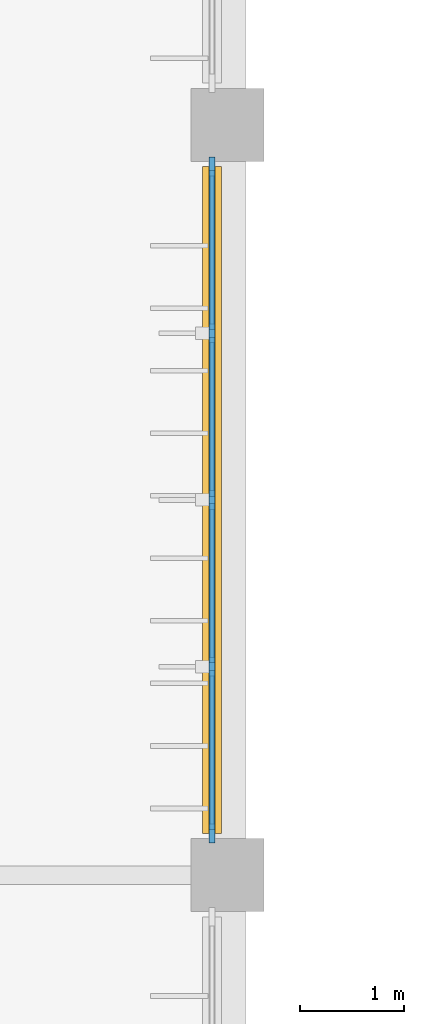
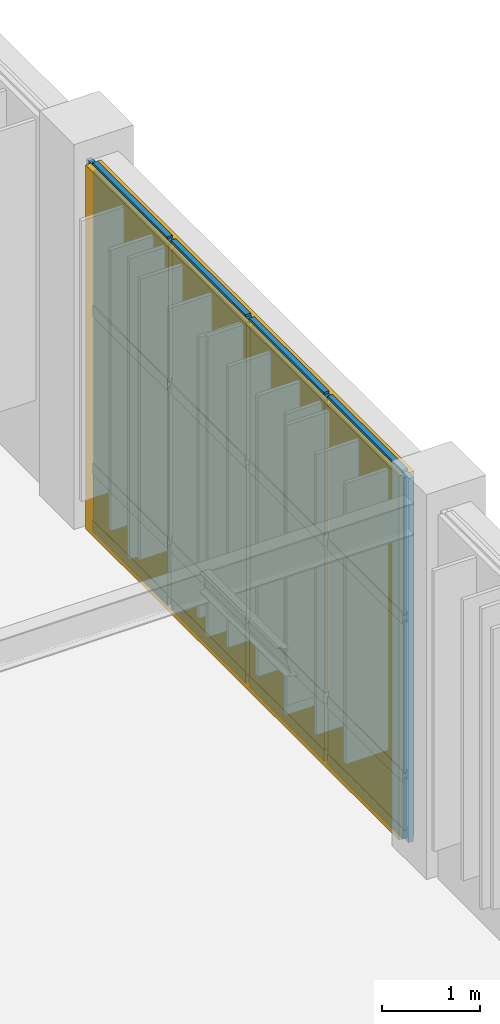
# One storey, part 70 of 122: 21 members, 12 plates, 1 curtain wall.
"""IFC4 building model written with IfcOpenShell, lengths in metres."""

from ifc_helpers import new_model, si_unit, direction, frame, frame_2d, origin, origin_2d, place, context, subcontext, project, spatial, rectangle, extrude, material, layer, layer_set, material_profile, profile_set, type_object, element, aggregate, save


model = new_model("IFC4")

# Units and contexts
model_context = context("Model", 3, precision=1e-05, world=origin(), true_north=direction((0.0, 1.0)))
body_context = subcontext(model_context, "Body", "Model", "MODEL_VIEW")
ifc_project = project(units=[si_unit("LENGTHUNIT", "METRE"), si_unit("AREAUNIT", "SQUARE_METRE"), si_unit("VOLUMEUNIT", "CUBIC_METRE"), si_unit("PLANEANGLEUNIT", "RADIAN"), si_unit("MASSUNIT", "GRAM", prefix="KILO")], contexts=[model_context])

# Member
ifc_material_1 = material(Name="Anodised Bronze Aluminium 6063-T6", Category="aluminium")
ifc_material_profile_1 = material_profile(ifc_material_1, rectangle(XDim=0.06005859375, YDim=0.179931640625, at=origin_2d()), Name="ALU MULLION 60x180")
ifc_profile_set_1 = profile_set([ifc_material_profile_1], Name="Anodised Bronze Aluminium 6063-T6")
member_type_1 = type_object("IfcMemberType", Name="Curtain-Wall Primary Mullion 60x180", PredefinedType="MULLION", material=ifc_profile_set_1)
site_placement = place(None, origin())
building_placement = place(site_placement, origin())
storey_placement = place(building_placement, origin())
member_1_placement = place(storey_placement, frame((27.449951171875, 59.39990234375, 0.0), z_axis=(0.0, 0.0, 1.0), x_axis=(1.0, 0.0, 0.0)))
member_1 = element("IfcMember", 1, at=member_1_placement, type_object=member_type_1, Name="Mullion CWM-01 CW-V6-E1-L00-B2-M01", PredefinedType="MULLION", context=body_context, shape_type="SweptSolid", body=[
    extrude(rectangle(XDim=0.06005859375, YDim=0.179931640625, at=origin_2d()), origin(), (0.0, 0.0, 1.0), 4.5400390625),
])

member_2_placement = place(storey_placement, frame((27.449951171875, 61.0, 0.0), z_axis=(0.0, 0.0, 1.0), x_axis=(1.0, 0.0, 0.0)))
member_2 = element("IfcMember", 2, at=member_2_placement, type_object=member_type_1, Name="Mullion CWM-01 CW-V6-E1-L00-B2-M02", PredefinedType="MULLION", context=body_context, shape_type="SweptSolid", body=[
    extrude(rectangle(XDim=0.06005859375, YDim=0.179931640625, at=origin_2d()), origin(), (0.0, 0.0, 1.0), 4.5400390625),
])

member_3_placement = place(storey_placement, frame((27.449951171875, 62.60009765625, 0.0), z_axis=(0.0, 0.0, 1.0), x_axis=(1.0, 0.0, 0.0)))
member_3 = element("IfcMember", 3, at=member_3_placement, type_object=member_type_1, Name="Mullion CWM-01 CW-V6-E1-L00-B2-M03", PredefinedType="MULLION", context=body_context, shape_type="SweptSolid", body=[
    extrude(rectangle(XDim=0.06005859375, YDim=0.179931640625, at=origin_2d()), origin(), (0.0, 0.0, 1.0), 4.5400390625),
])

member_4_placement = place(storey_placement, frame((27.449951171875, 64.199951171875, 0.0), z_axis=(0.0, 0.0, 1.0), x_axis=(1.0, 0.0, 0.0)))
member_4 = element("IfcMember", 4, at=member_4_placement, type_object=member_type_1, Name="Mullion CWM-01 CW-V6-E1-L00-B2-M04", PredefinedType="MULLION", context=body_context, shape_type="SweptSolid", body=[
    extrude(rectangle(XDim=0.06005859375, YDim=0.179931640625, at=origin_2d()), origin(), (0.0, 0.0, 1.0), 4.5400390625),
])

member_5_placement = place(storey_placement, frame((27.449951171875, 65.800048828125, 0.0), z_axis=(0.0, 0.0, 1.0), x_axis=(1.0, 0.0, 0.0)))
member_5 = element("IfcMember", 5, at=member_5_placement, type_object=member_type_1, Name="Mullion CWM-01 CW-V6-E1-L00-B2-M05", PredefinedType="MULLION", context=body_context, shape_type="SweptSolid", body=[
    extrude(rectangle(XDim=0.06005859375, YDim=0.179931640625, at=origin_2d()), origin(), (0.0, 0.0, 1.0), 4.5400390625),
])

ifc_material_profile_2 = material_profile(ifc_material_1, rectangle(XDim=0.06005859375, YDim=0.139892578125, at=origin_2d()), Name="ALU TRANSOM 60x140")
ifc_profile_set_2 = profile_set([ifc_material_profile_2], Name="Anodised Bronze Aluminium 6063-T6")
member_type_2 = type_object("IfcMemberType", Name="Curtain-Wall Transom 60x140", PredefinedType="USERDEFINED", material=ifc_profile_set_2)
member_6_placement = place(storey_placement, frame((27.449951171875, 59.43505859375, 0.0400390625), z_axis=(0.0, 1.0, 0.0), x_axis=(-1.0, 0.0, 0.0)))
member_6 = element("IfcMember", 6, at=member_6_placement, type_object=member_type_2, Name="Transom CWT-01 CW-V6-E1-L00-B2-T01.1", ObjectType="TRANSOM", PredefinedType="USERDEFINED", context=body_context, shape_type="SweptSolid", body=[
    extrude(rectangle(XDim=0.06005859375, YDim=0.139892578125, at=origin_2d()), origin(), (0.0, 0.0, 1.0), 1.530029296875),
])

member_7_placement = place(storey_placement, frame((27.449951171875, 59.43505859375, 0.75), z_axis=(0.0, 1.0, 0.0), x_axis=(-1.0, 0.0, 0.0)))
member_7 = element("IfcMember", 7, at=member_7_placement, type_object=member_type_2, Name="Transom CWT-01 CW-V6-E1-L00-B2-T01.2", ObjectType="TRANSOM", PredefinedType="USERDEFINED", context=body_context, shape_type="SweptSolid", body=[
    extrude(rectangle(XDim=0.06005859375, YDim=0.139892578125, at=origin_2d()), origin(), (0.0, 0.0, 1.0), 1.530029296875),
])

member_8_placement = place(storey_placement, frame((27.449951171875, 59.43505859375, 2.720703125), z_axis=(0.0, 1.0, 0.0), x_axis=(-1.0, 0.0, 0.0)))
member_8 = element("IfcMember", 8, at=member_8_placement, type_object=member_type_2, Name="Transom CWT-01 CW-V6-E1-L00-B2-T01.3", ObjectType="TRANSOM", PredefinedType="USERDEFINED", context=body_context, shape_type="SweptSolid", body=[
    extrude(rectangle(XDim=0.06005859375, YDim=0.139892578125, at=origin_2d()), origin(), (0.0, 0.0, 1.0), 1.530029296875),
])

member_9_placement = place(storey_placement, frame((27.449951171875, 59.43505859375, 4.5), z_axis=(0.0, 1.0, 0.0), x_axis=(-1.0, 0.0, 0.0)))
member_9 = element("IfcMember", 9, at=member_9_placement, type_object=member_type_2, Name="Transom CWT-01 CW-V6-E1-L00-B2-T01.4", ObjectType="TRANSOM", PredefinedType="USERDEFINED", context=body_context, shape_type="SweptSolid", body=[
    extrude(rectangle(XDim=0.06005859375, YDim=0.139892578125, at=origin_2d()), origin(), (0.0, 0.0, 1.0), 1.530029296875),
])

member_10_placement = place(storey_placement, frame((27.449951171875, 61.034912109375, 0.0400390625), z_axis=(0.0, 1.0, 0.0), x_axis=(-1.0, 0.0, 0.0)))
member_10 = element("IfcMember", 10, at=member_10_placement, type_object=member_type_2, Name="Transom CWT-01 CW-V6-E1-L00-B2-T02.1", ObjectType="TRANSOM", PredefinedType="USERDEFINED", context=body_context, shape_type="SweptSolid", body=[
    extrude(rectangle(XDim=0.06005859375, YDim=0.139892578125, at=origin_2d()), origin(), (0.0, 0.0, 1.0), 1.530029296875),
])

member_11_placement = place(storey_placement, frame((27.449951171875, 61.034912109375, 0.75), z_axis=(0.0, 1.0, 0.0), x_axis=(-1.0, 0.0, 0.0)))
member_11 = element("IfcMember", 11, at=member_11_placement, type_object=member_type_2, Name="Transom CWT-01 CW-V6-E1-L00-B2-T02.2", ObjectType="TRANSOM", PredefinedType="USERDEFINED", context=body_context, shape_type="SweptSolid", body=[
    extrude(rectangle(XDim=0.06005859375, YDim=0.139892578125, at=origin_2d()), origin(), (0.0, 0.0, 1.0), 1.530029296875),
])

member_12_placement = place(storey_placement, frame((27.449951171875, 61.034912109375, 2.720703125), z_axis=(0.0, 1.0, 0.0), x_axis=(-1.0, 0.0, 0.0)))
member_12 = element("IfcMember", 12, at=member_12_placement, type_object=member_type_2, Name="Transom CWT-01 CW-V6-E1-L00-B2-T02.3", ObjectType="TRANSOM", PredefinedType="USERDEFINED", context=body_context, shape_type="SweptSolid", body=[
    extrude(rectangle(XDim=0.06005859375, YDim=0.139892578125, at=origin_2d()), origin(), (0.0, 0.0, 1.0), 1.530029296875),
])

member_13_placement = place(storey_placement, frame((27.449951171875, 61.034912109375, 4.5), z_axis=(0.0, 1.0, 0.0), x_axis=(-1.0, 0.0, 0.0)))
member_13 = element("IfcMember", 13, at=member_13_placement, type_object=member_type_2, Name="Transom CWT-01 CW-V6-E1-L00-B2-T02.4", ObjectType="TRANSOM", PredefinedType="USERDEFINED", context=body_context, shape_type="SweptSolid", body=[
    extrude(rectangle(XDim=0.06005859375, YDim=0.139892578125, at=origin_2d()), origin(), (0.0, 0.0, 1.0), 1.530029296875),
])

member_14_placement = place(storey_placement, frame((27.449951171875, 62.635009765625, 0.0400390625), z_axis=(0.0, 1.0, 0.0), x_axis=(-1.0, 0.0, 0.0)))
member_14 = element("IfcMember", 14, at=member_14_placement, type_object=member_type_2, Name="Transom CWT-01 CW-V6-E1-L00-B2-T03.1", ObjectType="TRANSOM", PredefinedType="USERDEFINED", context=body_context, shape_type="SweptSolid", body=[
    extrude(rectangle(XDim=0.06005859375, YDim=0.139892578125, at=origin_2d()), origin(), (0.0, 0.0, 1.0), 1.530029296875),
])

member_15_placement = place(storey_placement, frame((27.449951171875, 62.635009765625, 0.75), z_axis=(0.0, 1.0, 0.0), x_axis=(-1.0, 0.0, 0.0)))
member_15 = element("IfcMember", 15, at=member_15_placement, type_object=member_type_2, Name="Transom CWT-01 CW-V6-E1-L00-B2-T03.2", ObjectType="TRANSOM", PredefinedType="USERDEFINED", context=body_context, shape_type="SweptSolid", body=[
    extrude(rectangle(XDim=0.06005859375, YDim=0.139892578125, at=origin_2d()), origin(), (0.0, 0.0, 1.0), 1.530029296875),
])

member_16_placement = place(storey_placement, frame((27.449951171875, 62.635009765625, 2.720703125), z_axis=(0.0, 1.0, 0.0), x_axis=(-1.0, 0.0, 0.0)))
member_16 = element("IfcMember", 16, at=member_16_placement, type_object=member_type_2, Name="Transom CWT-01 CW-V6-E1-L00-B2-T03.3", ObjectType="TRANSOM", PredefinedType="USERDEFINED", context=body_context, shape_type="SweptSolid", body=[
    extrude(rectangle(XDim=0.06005859375, YDim=0.139892578125, at=origin_2d()), origin(), (0.0, 0.0, 1.0), 1.530029296875),
])

member_17_placement = place(storey_placement, frame((27.449951171875, 62.635009765625, 4.5), z_axis=(0.0, 1.0, 0.0), x_axis=(-1.0, 0.0, 0.0)))
member_17 = element("IfcMember", 17, at=member_17_placement, type_object=member_type_2, Name="Transom CWT-01 CW-V6-E1-L00-B2-T03.4", ObjectType="TRANSOM", PredefinedType="USERDEFINED", context=body_context, shape_type="SweptSolid", body=[
    extrude(rectangle(XDim=0.06005859375, YDim=0.139892578125, at=origin_2d()), origin(), (0.0, 0.0, 1.0), 1.530029296875),
])

member_18_placement = place(storey_placement, frame((27.449951171875, 64.235107421875, 0.0400390625), z_axis=(0.0, 1.0, 0.0), x_axis=(-1.0, 0.0, 0.0)))
member_18 = element("IfcMember", 18, at=member_18_placement, type_object=member_type_2, Name="Transom CWT-01 CW-V6-E1-L00-B2-T04.1", ObjectType="TRANSOM", PredefinedType="USERDEFINED", context=body_context, shape_type="SweptSolid", body=[
    extrude(rectangle(XDim=0.06005859375, YDim=0.139892578125, at=origin_2d()), origin(), (0.0, 0.0, 1.0), 1.52978515625),
])

member_19_placement = place(storey_placement, frame((27.449951171875, 64.235107421875, 0.75), z_axis=(0.0, 1.0, 0.0), x_axis=(-1.0, 0.0, 0.0)))
member_19 = element("IfcMember", 19, at=member_19_placement, type_object=member_type_2, Name="Transom CWT-01 CW-V6-E1-L00-B2-T04.2", ObjectType="TRANSOM", PredefinedType="USERDEFINED", context=body_context, shape_type="SweptSolid", body=[
    extrude(rectangle(XDim=0.06005859375, YDim=0.139892578125, at=origin_2d()), origin(), (0.0, 0.0, 1.0), 1.52978515625),
])

member_20_placement = place(storey_placement, frame((27.449951171875, 64.235107421875, 2.720703125), z_axis=(0.0, 1.0, 0.0), x_axis=(-1.0, 0.0, 0.0)))
member_20 = element("IfcMember", 20, at=member_20_placement, type_object=member_type_2, Name="Transom CWT-01 CW-V6-E1-L00-B2-T04.3", ObjectType="TRANSOM", PredefinedType="USERDEFINED", context=body_context, shape_type="SweptSolid", body=[
    extrude(rectangle(XDim=0.06005859375, YDim=0.139892578125, at=origin_2d()), origin(), (0.0, 0.0, 1.0), 1.52978515625),
])

member_21_placement = place(storey_placement, frame((27.449951171875, 64.235107421875, 4.5), z_axis=(0.0, 1.0, 0.0), x_axis=(-1.0, 0.0, 0.0)))
member_21 = element("IfcMember", 21, at=member_21_placement, type_object=member_type_2, Name="Transom CWT-01 CW-V6-E1-L00-B2-T04.4", ObjectType="TRANSOM", PredefinedType="USERDEFINED", context=body_context, shape_type="SweptSolid", body=[
    extrude(rectangle(XDim=0.06005859375, YDim=0.139892578125, at=origin_2d()), origin(), (0.0, 0.0, 1.0), 1.52978515625),
])

# Plate
ifc_material_2 = material(Name="Insulated Bronze Aluminium Spandrel Panel", Category="aluminium")
ifc_layer_1 = layer(ifc_material_2, 0.050048828125, Name="Insulated Bronze Aluminium Spandrel Panel")
ifc_layer_set_1 = layer_set([ifc_layer_1], Name="Insulated Bronze Aluminium Spandrel Panel")
plate_type_1 = type_object("IfcPlateType", Name="Insulated Anodised Aluminium Spandrel Cassette 50", PredefinedType="CURTAIN_PANEL", material=ifc_layer_set_1)
plate_1_placement = place(storey_placement, frame((27.449951171875, 60.199951171875, 0.070068359375), z_axis=(0.0, 0.0, 1.0), x_axis=(0.0, 1.0, 0.0)))
plate_1 = element("IfcPlate", 22, at=plate_1_placement, type_object=plate_type_1, Name="Curtain Panel CWP-03 CW-V6-E1-L00-B2-P01.1", PredefinedType="CURTAIN_PANEL", context=body_context, shape_type="SweptSolid", body=[
    extrude(rectangle(XDim=1.530029296875, YDim=0.050048828125, at=origin_2d()), origin(), (0.0, 0.0, 1.0), 0.64990234375),
])

plate_2_placement = place(storey_placement, frame((27.449951171875, 61.800048828125, 0.070068359375), z_axis=(0.0, 0.0, 1.0), x_axis=(0.0, 1.0, 0.0)))
plate_2 = element("IfcPlate", 23, at=plate_2_placement, type_object=plate_type_1, Name="Curtain Panel CWP-03 CW-V6-E1-L00-B2-P02.1", PredefinedType="CURTAIN_PANEL", context=body_context, shape_type="SweptSolid", body=[
    extrude(rectangle(XDim=1.530029296875, YDim=0.050048828125, at=origin_2d()), origin(), (0.0, 0.0, 1.0), 0.64990234375),
])

plate_3_placement = place(storey_placement, frame((27.449951171875, 63.39990234375, 0.070068359375), z_axis=(0.0, 0.0, 1.0), x_axis=(0.0, 1.0, 0.0)))
plate_3 = element("IfcPlate", 24, at=plate_3_placement, type_object=plate_type_1, Name="Curtain Panel CWP-03 CW-V6-E1-L00-B2-P03.1", PredefinedType="CURTAIN_PANEL", context=body_context, shape_type="SweptSolid", body=[
    extrude(rectangle(XDim=1.530029296875, YDim=0.050048828125, at=origin_2d()), origin(), (0.0, 0.0, 1.0), 0.64990234375),
])

plate_4_placement = place(storey_placement, frame((27.449951171875, 65.0, 0.070068359375), z_axis=(0.0, 0.0, 1.0), x_axis=(0.0, 1.0, 0.0)))
plate_4 = element("IfcPlate", 25, at=plate_4_placement, type_object=plate_type_1, Name="Curtain Panel CWP-03 CW-V6-E1-L00-B2-P04.1", PredefinedType="CURTAIN_PANEL", context=body_context, shape_type="SweptSolid", body=[
    extrude(rectangle(XDim=1.530029296875, YDim=0.050048828125, at=origin_2d()), origin(), (0.0, 0.0, 1.0), 0.64990234375),
])

ifc_material_3 = material(Name="Solar-Control Tempered Double Glazing", Category="glass")
ifc_layer_2 = layer(ifc_material_3, 0.0380859375, Name="Solar-Control Tempered Double Glazing")
ifc_layer_set_2 = layer_set([ifc_layer_2], Name="Solar-Control Tempered Double Glazing")
plate_type_2 = type_object("IfcPlateType", Name="Solar-Control Vision Glazing Unit 38", PredefinedType="CURTAIN_PANEL", material=ifc_layer_set_2)
plate_5_placement = place(storey_placement, frame((27.449951171875, 60.199951171875, 0.77978515625), z_axis=(0.0, 0.0, 1.0), x_axis=(0.0, 1.0, 0.0)))
plate_5 = element("IfcPlate", 26, at=plate_5_placement, type_object=plate_type_2, Name="Curtain Panel CWP-02 CW-V6-E1-L00-B2-P01.2", PredefinedType="CURTAIN_PANEL", context=body_context, shape_type="SweptSolid", body=[
    extrude(rectangle(XDim=1.530029296875, YDim=0.0380859375, at=origin_2d()), origin(), (0.0, 0.0, 1.0), 1.910888671875),
])

plate_6_placement = place(storey_placement, frame((27.449951171875, 60.199951171875, 2.750732421875), z_axis=(0.0, 0.0, 1.0), x_axis=(0.0, 1.0, 0.0)))
plate_6 = element("IfcPlate", 27, at=plate_6_placement, type_object=plate_type_2, Name="Curtain Panel CWP-02 CW-V6-E1-L00-B2-P01.3", PredefinedType="CURTAIN_PANEL", context=body_context, shape_type="SweptSolid", body=[
    extrude(rectangle(XDim=1.530029296875, YDim=0.0380859375, at=origin_2d()), origin(), (0.0, 0.0, 1.0), 1.71923828125),
])

plate_7_placement = place(storey_placement, frame((27.449951171875, 61.800048828125, 0.77978515625), z_axis=(0.0, 0.0, 1.0), x_axis=(0.0, 1.0, 0.0)))
plate_7 = element("IfcPlate", 28, at=plate_7_placement, type_object=plate_type_2, Name="Curtain Panel CWP-02 CW-V6-E1-L00-B2-P02.2", PredefinedType="CURTAIN_PANEL", context=body_context, shape_type="SweptSolid", body=[
    extrude(rectangle(XDim=1.530029296875, YDim=0.0380859375, at=origin_2d()), origin(), (0.0, 0.0, 1.0), 1.910888671875),
])

plate_8_placement = place(storey_placement, frame((27.449951171875, 61.800048828125, 2.750732421875), z_axis=(0.0, 0.0, 1.0), x_axis=(0.0, 1.0, 0.0)))
plate_8 = element("IfcPlate", 29, at=plate_8_placement, type_object=plate_type_2, Name="Curtain Panel CWP-02 CW-V6-E1-L00-B2-P02.3", PredefinedType="CURTAIN_PANEL", context=body_context, shape_type="SweptSolid", body=[
    extrude(rectangle(XDim=1.530029296875, YDim=0.0380859375, at=origin_2d()), origin(), (0.0, 0.0, 1.0), 1.71923828125),
])

plate_9_placement = place(storey_placement, frame((27.449951171875, 63.39990234375, 0.77978515625), z_axis=(0.0, 0.0, 1.0), x_axis=(0.0, 1.0, 0.0)))
plate_9 = element("IfcPlate", 30, at=plate_9_placement, type_object=plate_type_2, Name="Curtain Panel CWP-02 CW-V6-E1-L00-B2-P03.2", PredefinedType="CURTAIN_PANEL", context=body_context, shape_type="SweptSolid", body=[
    extrude(rectangle(XDim=1.530029296875, YDim=0.0380859375, at=origin_2d()), origin(), (0.0, 0.0, 1.0), 1.910888671875),
])

plate_10_placement = place(storey_placement, frame((27.449951171875, 63.39990234375, 2.750732421875), z_axis=(0.0, 0.0, 1.0), x_axis=(0.0, 1.0, 0.0)))
plate_10 = element("IfcPlate", 31, at=plate_10_placement, type_object=plate_type_2, Name="Curtain Panel CWP-02 CW-V6-E1-L00-B2-P03.3", PredefinedType="CURTAIN_PANEL", context=body_context, shape_type="SweptSolid", body=[
    extrude(rectangle(XDim=1.530029296875, YDim=0.0380859375, at=origin_2d()), origin(), (0.0, 0.0, 1.0), 1.71923828125),
])

plate_11_placement = place(storey_placement, frame((27.449951171875, 65.0, 0.77978515625), z_axis=(0.0, 0.0, 1.0), x_axis=(0.0, 1.0, 0.0)))
plate_11 = element("IfcPlate", 32, at=plate_11_placement, type_object=plate_type_2, Name="Curtain Panel CWP-02 CW-V6-E1-L00-B2-P04.2", PredefinedType="CURTAIN_PANEL", context=body_context, shape_type="SweptSolid", body=[
    extrude(rectangle(XDim=1.530029296875, YDim=0.0380859375, at=origin_2d()), origin(), (0.0, 0.0, 1.0), 1.910888671875),
])

plate_12_placement = place(storey_placement, frame((27.449951171875, 65.0, 2.750732421875), z_axis=(0.0, 0.0, 1.0), x_axis=(0.0, 1.0, 0.0)))
plate_12 = element("IfcPlate", 33, at=plate_12_placement, type_object=plate_type_2, Name="Curtain Panel CWP-02 CW-V6-E1-L00-B2-P04.3", PredefinedType="CURTAIN_PANEL", context=body_context, shape_type="SweptSolid", body=[
    extrude(rectangle(XDim=1.530029296875, YDim=0.0380859375, at=origin_2d()), origin(), (0.0, 0.0, 1.0), 1.71923828125),
])

# Site, building, storey
site = spatial("IfcSite", under=ifc_project, at=site_placement, CompositionType="ELEMENT")
building = spatial("IfcBuilding", under=site, at=building_placement, Name="Tazoul Stagehouse", CompositionType="ELEMENT")
storey = spatial("IfcBuildingStorey", under=building, at=storey_placement, Name="L00", CompositionType="ELEMENT", Elevation=0.0)

# Curtain wall
curtain_wall_type = type_object("IfcCurtainWallType", Name="Foyer Clear Solar-Control Curtain Wall", PredefinedType="NOTDEFINED", material=ifc_material_1)
curtain_wall_placement = place(storey_placement, frame((27.449951171875, 59.39990234375, 0.0), z_axis=(0.0, 0.0, 1.0), x_axis=(0.0, 1.0, 0.0)))
curtain_wall = element("IfcCurtainWall", 34, at=curtain_wall_placement, inside=storey, type_object=curtain_wall_type, Name="L00 Curtain Wall CW-02 (CW-V6-E1-L00-B2)", PredefinedType="NOTDEFINED", context=body_context, shape_type="SweptSolid", body=[
    extrude(rectangle(XDim=6.400146484375, YDim=0.179931640625, at=frame_2d((3.2001953125, 0.0))), origin(), (0.0, 0.0, 1.0), 4.5400390625),
])

aggregate(curtain_wall, [member_1, member_2, member_3, member_4, member_5, member_6, member_7, member_8, member_9, plate_1, plate_5, plate_6, member_10, member_11, member_12, member_13, plate_2, plate_7, plate_8, member_14, member_15, member_16, member_17, plate_3, plate_9, plate_10, member_18, member_19, member_20, member_21, plate_4, plate_11, plate_12])

save(model, "model.ifc")
